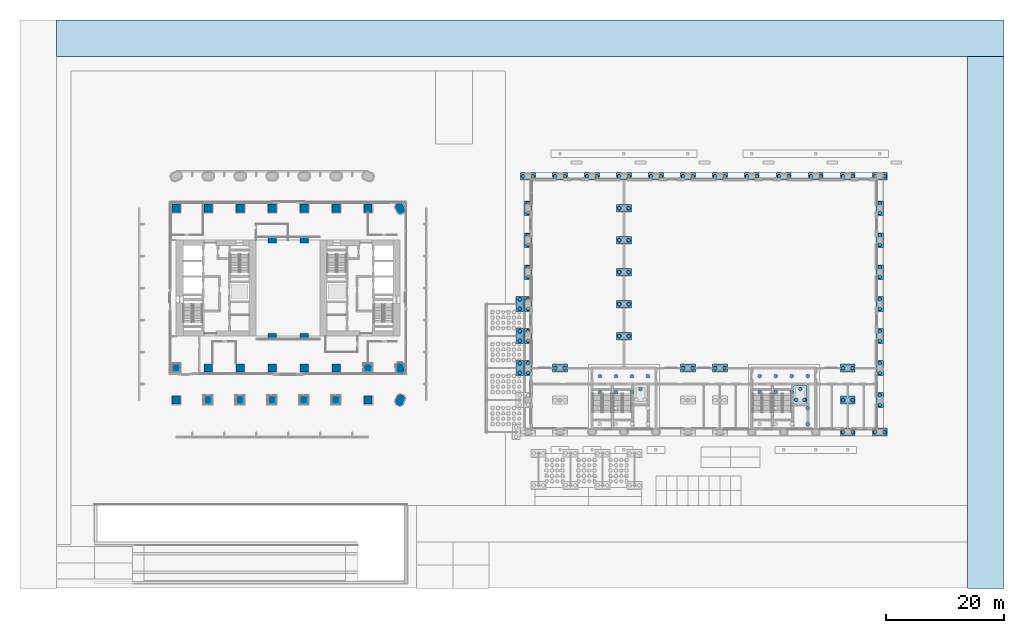
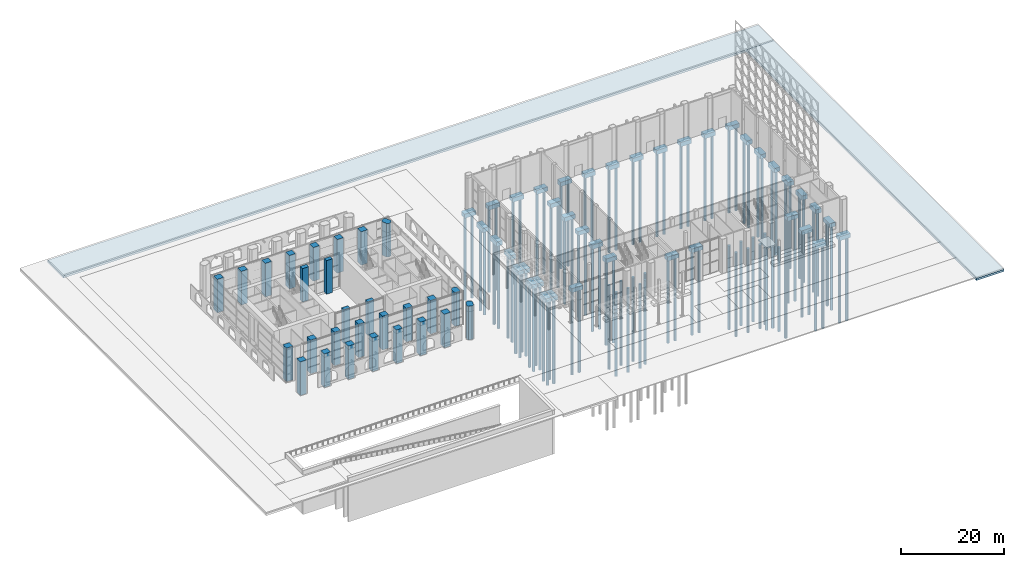
# One storey, part 3 of 54: 100 piles, 43 footings, 28 columns.
"""IFC4 building model written with IfcOpenShell, lengths in metres."""

import ifcopenshell
import ifcopenshell.guid

model = None  # the IFC model being written
_history = None  # IfcOwnerHistory: only IFC2X3 demands one
_inside = {}  # id of a spatial element -> (the spatial element, [elements in it])
_under = {}  # id of a project, library or spatial element -> (it, [spatial elements below it])
_declared = {}  # id of a project -> (the project, [libraries it declares])
_typed = {}  # id of a type object -> (the type object, [elements of that type])
_made_of = {}  # id of a material, layer set ... -> (it, [elements and type objects made of it])


def new_model(schema):
    """Start an empty IFC model of exactly this schema.

    Asked for "IFC4X3", IfcOpenShell would pick the latest addendum, in which some entities
    have other attributes; the version numbers below select the first issue.
    IFC2X3 requires an IfcOwnerHistory on every rooted entity: one is made here for all.
    """
    global model, _history
    if schema == "IFC4X3":
        model = ifcopenshell.file(schema_version=(4, 3, 0, 0))
    else:
        model = ifcopenshell.file(schema=schema)
    _inside.clear()
    _under.clear()
    _declared.clear()
    _typed.clear()
    _made_of.clear()
    _history = None
    if model.schema == "IFC2X3":
        org = make("IfcOrganization", Name="unknown")
        user = make(
            "IfcPersonAndOrganization",
            ThePerson=make("IfcPerson", FamilyName="unknown"),
            TheOrganization=org,
        )
        app = make(
            "IfcApplication",
            ApplicationDeveloper=org,
            Version="unknown",
            ApplicationFullName="unknown",
            ApplicationIdentifier="unknown",
        )
        _history = make(
            "IfcOwnerHistory",
            OwningUser=user,
            OwningApplication=app,
            ChangeAction="ADDED",
            CreationDate=0,
        )
    return model


def make(cls, **values):
    """One entity of the class cls with the attributes given. An attribute that is None is left unset."""
    return model.create_entity(
        cls, **{name: value for name, value in values.items() if value is not None}
    )


def rooted(cls, **values):
    """An entity with a GlobalId (a new one), such as an element, a storey or a relation."""
    return make(cls, GlobalId=ifcopenshell.guid.new(), OwnerHistory=_history, **values)


def si_unit(unit_type, name, prefix=None):
    """IfcSIUnit, for example si_unit("LENGTHUNIT", "METRE", prefix="MILLI")."""
    return make("IfcSIUnit", UnitType=unit_type, Prefix=prefix, Name=name)


def assignment(units):
    """IfcUnitAssignment: the units of a project."""
    return None if units is None else make("IfcUnitAssignment", Units=units)


def point(xyz):
    """IfcCartesianPoint."""
    return None if xyz is None else make("IfcCartesianPoint", Coordinates=xyz)


def direction(xyz):
    """IfcDirection."""
    return None if xyz is None else make("IfcDirection", DirectionRatios=xyz)


def frame(location, z_axis=None, x_axis=None):
    """IfcAxis2Placement3D, a coordinate frame: its origin and axes. An axis left out is left unset."""
    return make(
        "IfcAxis2Placement3D",
        Location=point(location),
        Axis=direction(z_axis),
        RefDirection=direction(x_axis),
    )


def frame_2d(location, x_axis=None):
    """IfcAxis2Placement2D, a coordinate frame in the plane: its origin and x axis."""
    return make(
        "IfcAxis2Placement2D", Location=point(location), RefDirection=direction(x_axis)
    )


def origin():
    """The frame at (0, 0, 0) with its axes left unset."""
    return frame((0.0, 0.0, 0.0))


def origin_2d():
    """The frame at (0, 0) in the plane with its x axis left unset."""
    return frame_2d((0.0, 0.0))


def place(relative_to, where):
    """IfcLocalPlacement: puts the frame where relative to a parent placement (None: the world)."""
    return make(
        "IfcLocalPlacement", PlacementRelTo=relative_to, RelativePlacement=where
    )


def context(
    kind, dimensions, precision=None, world=None, true_north=None, identifier=None
):
    """IfcGeometricRepresentationContext, for example the 3D "Model" context."""
    return make(
        "IfcGeometricRepresentationContext",
        ContextIdentifier=identifier,
        ContextType=kind,
        CoordinateSpaceDimension=dimensions,
        Precision=precision,
        WorldCoordinateSystem=world,
        TrueNorth=true_north,
    )


def subcontext(parent, identifier, kind, view, scale=None):
    """IfcGeometricRepresentationSubContext, for example "Body" below "Model"."""
    return make(
        "IfcGeometricRepresentationSubContext",
        ContextIdentifier=identifier,
        ContextType=kind,
        ParentContext=parent,
        TargetScale=scale,
        TargetView=view,
    )


def project(units=None, contexts=None):
    """IfcProject with its units and contexts."""
    return rooted(
        "IfcProject",
        Name="project",
        RepresentationContexts=contexts,
        UnitsInContext=assignment(units),
    )


def spatial(cls, under=None, at=None, **own):
    """A site, building, storey or space (cls), placed at a placement, below another one or the project."""
    s = rooted(cls, ObjectPlacement=at, **own)
    if under is not None:
        _under.setdefault(under.id(), (under, []))[1].append(s)
    return s


def polyline(points):
    """IfcPolyline through the points."""
    return make("IfcPolyline", Points=[point(p) for p in points])


def profile(cls, at=None, kind="AREA", **sizes):
    """A parametric profile (cls). Its sizes go by their IFC names, for example OverallWidth=200.0."""
    return make(cls, ProfileType=kind, Position=at, **sizes)


def rectangle(**sizes):
    """IfcRectangleProfileDef."""
    return profile("IfcRectangleProfileDef", **sizes)


def circle(**sizes):
    """IfcCircleProfileDef."""
    return profile("IfcCircleProfileDef", **sizes)


def outline(outer, holes=None, kind="AREA"):
    """IfcArbitraryClosedProfileDef: a profile drawn as a closed curve; with holes, ...WithVoids."""
    if holes is None:
        return make("IfcArbitraryClosedProfileDef", ProfileType=kind, OuterCurve=outer)
    return make(
        "IfcArbitraryProfileDefWithVoids",
        ProfileType=kind,
        OuterCurve=outer,
        InnerCurves=holes,
    )


def extrude(swept, where, along, depth):
    """IfcExtrudedAreaSolid: the profile swept, set in the frame where, extruded along a direction by depth."""
    return make(
        "IfcExtrudedAreaSolid",
        SweptArea=swept,
        Position=where,
        ExtrudedDirection=direction(along),
        Depth=depth,
    )


def shape(context_of_items, identifier, shape_type, items):
    """IfcShapeRepresentation: the items that make up one representation, for example the "Body"."""
    return make(
        "IfcShapeRepresentation",
        ContextOfItems=context_of_items,
        RepresentationIdentifier=identifier,
        RepresentationType=shape_type,
        Items=items,
    )


def material(Name=None, Category=None):
    """IfcMaterial."""
    return make("IfcMaterial", Name=Name, Category=Category)


def material_profile(
    of_material, cross_section, Name=None, Category=None, Priority=None
):
    """IfcMaterialProfile: a cross section and its material."""
    return make(
        "IfcMaterialProfile",
        Name=Name,
        Material=of_material,
        Profile=cross_section,
        Priority=Priority,
        Category=Category,
    )


def profile_set(profiles, Name=None, composite=None):
    """IfcMaterialProfileSet."""
    return make(
        "IfcMaterialProfileSet",
        Name=Name,
        MaterialProfiles=profiles,
        CompositeProfile=composite,
    )


def made_of(thing, what):
    """Note that an element or type object is made of a material, layer set ...; save() writes the relation."""
    if what is not None:
        _made_of.setdefault(what.id(), (what, []))[1].append(thing)
    return thing


def type_object(cls, material=None, **own):
    """A type object (cls), such as IfcWallType, which elements share."""
    return made_of(rooted(cls, **own), material)


def element(
    cls,
    number,
    at=None,
    inside=None,
    cuts=None,
    type_object=None,
    material=None,
    context=None,
    identifier="Body",
    shape_type=None,
    held_by="IfcProductDefinitionShape",
    body=None,
    shapes=None,
    **own,
):
    """One element of the class cls, such as IfcWall. Its Tag is "e" and its number.

    at: its placement. inside: the storey or other place that contains it. cuts: it is an
    opening in that element (IfcRelVoidsElement). A single representation is given by context,
    identifier, shape_type and body (its items); several are given by shapes. held_by: the class
    of the entity that holds the representations. save() writes the other relations.
    """
    e = rooted(cls, Tag="e%d" % number, ObjectPlacement=at, **own)
    if body is not None:
        shapes = [shape(context, identifier, shape_type, body)]
    if shapes is not None:
        e.Representation = make(held_by, Representations=shapes)
    if inside is not None:
        _inside.setdefault(inside.id(), (inside, []))[1].append(e)
    if cuts is not None:
        rooted(
            "IfcRelVoidsElement", RelatingBuildingElement=cuts, RelatedOpeningElement=e
        )
    if type_object is not None:
        _typed.setdefault(type_object.id(), (type_object, []))[1].append(e)
    return made_of(e, material)


def aggregate(whole, parts):
    """IfcRelAggregates: a whole, such as a stair, and the parts it consists of."""
    return rooted("IfcRelAggregates", RelatingObject=whole, RelatedObjects=parts)


def save(model, path):
    """Write the relations noted so far, then the file.

    IfcRelAggregates (storeys below a building ...), IfcRelContainedInSpatialStructure (elements
    in a storey), IfcRelDefinesByType, IfcRelAssociatesMaterial and IfcRelDeclares: one each for
    every whole, place, type object, material and project.
    """
    for whole, parts in _under.values():
        aggregate(whole, parts)
    for where, things in _inside.values():
        rooted(
            "IfcRelContainedInSpatialStructure",
            RelatedElements=things,
            RelatingStructure=where,
        )
    for kind, things in _typed.values():
        rooted("IfcRelDefinesByType", RelatedObjects=things, RelatingType=kind)
    for what, things in _made_of.values():
        rooted("IfcRelAssociatesMaterial", RelatedObjects=things, RelatingMaterial=what)
    for by, libraries in _declared.values():
        rooted("IfcRelDeclares", RelatingContext=by, RelatedDefinitions=libraries)
    model.write(path)


model = new_model("IFC4")

# Units and contexts
model_context = context("Model", 3, precision=1e-05, world=origin(), true_north=direction((0.0, 1.0)))
body_context = subcontext(model_context, "Body", "Model", "MODEL_VIEW")
ifc_project = project(units=[si_unit("LENGTHUNIT", "METRE"), si_unit("AREAUNIT", "SQUARE_METRE"), si_unit("VOLUMEUNIT", "CUBIC_METRE"), si_unit("PLANEANGLEUNIT", "RADIAN"), si_unit("MASSUNIT", "GRAM", prefix="KILO")], contexts=[model_context])

# Site, building, storey
site_placement = place(None, origin())
site = spatial("IfcSite", under=ifc_project, at=site_placement, CompositionType="ELEMENT")
building_placement = place(site_placement, origin())
building = spatial("IfcBuilding", under=site, at=building_placement, Name="Tabaq Tower and Sports Hall", CompositionType="ELEMENT")
storey_placement = place(building_placement, origin())
storey = spatial("IfcBuildingStorey", under=building, at=storey_placement, Name="L00", CompositionType="ELEMENT", Elevation=0.0)

# Piles
ifc_material_1 = material(Name="Concrete C40/50 sulphate-resisting", Category="concrete")
ifc_material_profile_1 = material_profile(ifc_material_1, circle(Radius=0.300048828125, at=origin_2d()), Name="D600")
ifc_profile_set_1 = profile_set([ifc_material_profile_1], Name="Concrete C40/50 sulphate-resisting")
pile_type_1 = type_object("IfcPileType", Name="CANOPY BORED PILE D600", PredefinedType="BORED", material=ifc_profile_set_1)
for number, where, z_axis, x_axis, name in (
    (1, (63.39990234375, 10.0, -1.199951171875), (0.0, 0.0, -1.0), (1.0, 0.0, 0.0), "Canopy bored pile PC3-1"),
    (2, (63.39990234375, 11.60009765625, -1.199951171875), (0.0, 0.0, -1.0), (1.0, 0.0, 0.0), "Canopy bored pile PC3-2"),
    (3, (63.39990234375, 15.39990234375, -1.199951171875), (0.0, 0.0, -1.0), (1.0, 0.0, 0.0), "Canopy bored pile PC4-1"),
    (4, (63.39990234375, 17.0, -1.199951171875), (0.0, 0.0, -1.0), (1.0, 0.0, 0.0), "Canopy bored pile PC4-2"),
    (5, (63.39990234375, 20.800048828125, -1.199951171875), (0.0, 0.0, -1.0), (1.0, 0.0, 0.0), "Canopy bored pile PC5-1"),
    (6, (63.39990234375, 22.39990234375, -1.199951171875), (0.0, 0.0, -1.0), (1.0, 0.0, 0.0), "Canopy bored pile PC5-2"),
):
    element("IfcPile", number, at=place(storey_placement, frame(where, z_axis=z_axis, x_axis=x_axis)), inside=storey, type_object=pile_type_1, Name=name, PredefinedType="BORED", context=body_context, shape_type="SweptSolid", body=[
        extrude(circle(Radius=0.300048828125, at=origin_2d()), origin(), (0.0, 0.0, 1.0), 20.0),
    ])

# Footings
ifc_material_2 = material(Name="Concrete C40/50 sulphate-resisting", Category="concrete")
footing_type_1 = type_object("IfcFootingType", Name="CANOPY PILE CAP 2500x1300x1000", PredefinedType="PILE_CAP", material=ifc_material_2)
for number, where, z_axis, x_axis, name in (
    (7, (63.39990234375, 10.800048828125, -1.300048828125), (0.0, 0.0, 1.0), (0.0, 1.0, 0.0), "Canopy pile cap PC3"),
    (8, (63.39990234375, 16.199951171875, -1.300048828125), (0.0, 0.0, 1.0), (0.0, 1.0, 0.0), "Canopy pile cap PC4"),
    (9, (63.39990234375, 21.60009765625, -1.300048828125), (0.0, 0.0, 1.0), (0.0, 1.0, 0.0), "Canopy pile cap PC5"),
):
    element("IfcFooting", number, at=place(storey_placement, frame(where, z_axis=z_axis, x_axis=x_axis)), inside=storey, type_object=footing_type_1, Name=name, PredefinedType="PILE_CAP", context=body_context, shape_type="SweptSolid", body=[
        extrude(rectangle(XDim=2.5, YDim=1.300048828125, at=origin_2d()), origin(), (0.0, 0.0, 1.0), 1.0),
    ])
ifc_material_3 = material(Name="Compacted crushed limestone sub-base", Category="masonry")
footing_type_2 = type_object("IfcFootingType", Name="COMPACTED LIMESTONE SUB-BASE 500", PredefinedType="USERDEFINED", material=ifc_material_3)
footing_1_placement = place(storey_placement, frame((0.0, 0.0, -0.800048828125)))
element("IfcFooting", 10, at=footing_1_placement, inside=storey, type_object=footing_type_2, Name="Sub-base under north road (fire appliance access)", ObjectType="SUB-BASE", PredefinedType="USERDEFINED", context=body_context, shape_type="SweptSolid", body=[
    extrude(outline(polyline([(145.179931640625, 69.580078125), (-14.800048828125, 69.580078125), (-14.800048828125, 63.39990234375), (145.179931640625, 63.39990234375), (145.179931640625, 69.580078125)])), origin(), (0.0, 0.0, 1.0), 0.5),
])
footing_2_placement = place(storey_placement, frame((0.0, 0.0, -0.800048828125)))
element("IfcFooting", 11, at=footing_2_placement, inside=storey, type_object=footing_type_2, Name="Sub-base under east road (fire appliance access)", ObjectType="SUB-BASE", PredefinedType="USERDEFINED", context=body_context, shape_type="SweptSolid", body=[
    extrude(outline(polyline([(145.179931640625, 63.39990234375), (139.0, 63.39990234375), (139.0, -26.3798828125), (145.179931640625, -26.3798828125), (145.179931640625, 63.39990234375)])), origin(), (0.0, 0.0, 1.0), 0.5),
])

# Piles
ifc_material_4 = material(Name="Concrete C40/50 sulphate-resisting", Category="concrete")
ifc_material_profile_2 = material_profile(ifc_material_4, circle(Radius=0.300048828125, at=origin_2d()), Name="D600")
ifc_profile_set_2 = profile_set([ifc_material_profile_2], Name="Concrete C40/50 sulphate-resisting")
pile_type_2 = type_object("IfcPileType", Name="HALL BORED PILE D600", PredefinedType="BORED", material=ifc_profile_set_2)
for number, where, z_axis, x_axis, name in (
    (12, (64.800048828125, 10.0, -1.300048828125), (0.0, 0.0, -1.0), (1.0, 0.0, 0.0), "Bored pile 13C-1"),
    (13, (64.800048828125, 11.60009765625, -1.300048828125), (0.0, 0.0, -1.0), (1.0, 0.0, 0.0), "Bored pile 13C-2"),
    (14, (64.800048828125, 15.39990234375, -1.300048828125), (0.0, 0.0, -1.0), (1.0, 0.0, 0.0), "Bored pile 13D-1"),
    (15, (64.800048828125, 17.0, -1.300048828125), (0.0, 0.0, -1.0), (1.0, 0.0, 0.0), "Bored pile 13D-2"),
    (16, (64.800048828125, 20.800048828125, -1.300048828125), (0.0, 0.0, -1.0), (1.0, 0.0, 0.0), "Bored pile 13E-1"),
    (17, (64.800048828125, 22.39990234375, -1.300048828125), (0.0, 0.0, -1.0), (1.0, 0.0, 0.0), "Bored pile 13E-2"),
    (18, (64.800048828125, 26.199951171875, -1.300048828125), (0.0, 0.0, -1.0), (1.0, 0.0, 0.0), "Bored pile 13F-1"),
    (19, (64.800048828125, 27.800048828125, -1.300048828125), (0.0, 0.0, -1.0), (1.0, 0.0, 0.0), "Bored pile 13F-2"),
    (20, (64.800048828125, 31.60009765625, -1.300048828125), (0.0, 0.0, -1.0), (1.0, 0.0, 0.0), "Bored pile 13G-1"),
    (21, (64.800048828125, 33.199951171875, -1.300048828125), (0.0, 0.0, -1.0), (1.0, 0.0, 0.0), "Bored pile 13G-2"),
    (22, (64.800048828125, 37.0, -1.300048828125), (0.0, 0.0, -1.0), (1.0, 0.0, 0.0), "Bored pile 13H-1"),
    (23, (64.800048828125, 38.60009765625, -1.300048828125), (0.0, 0.0, -1.0), (1.0, 0.0, 0.0), "Bored pile 13H-2"),
    (24, (64.0, 43.199951171875, -1.300048828125), (0.0, 0.0, -1.0), (1.0, 0.0, 0.0), "Bored pile 13I-1"),
    (25, (65.60009765625, 43.199951171875, -1.300048828125), (0.0, 0.0, -1.0), (1.0, 0.0, 0.0), "Bored pile 13I-2"),
    (26, (69.39990234375, 10.800048828125, -1.300048828125), (0.0, 0.0, -1.0), (1.0, 0.0, 0.0), "Bored pile 14C-1"),
    (27, (71.0, 10.800048828125, -1.300048828125), (0.0, 0.0, -1.0), (1.0, 0.0, 0.0), "Bored pile 14C-2"),
    (28, (69.39990234375, 43.199951171875, -1.300048828125), (0.0, 0.0, -1.0), (1.0, 0.0, 0.0), "Bored pile 14I-1"),
    (29, (71.0, 43.199951171875, -1.300048828125), (0.0, 0.0, -1.0), (1.0, 0.0, 0.0), "Bored pile 14I-2"),
    (30, (74.800048828125, 43.199951171875, -1.300048828125), (0.0, 0.0, -1.0), (1.0, 0.0, 0.0), "Bored pile 15I-1"),
    (31, (76.39990234375, 43.199951171875, -1.300048828125), (0.0, 0.0, -1.0), (1.0, 0.0, 0.0), "Bored pile 15I-2"),
    (32, (80.199951171875, 16.199951171875, -1.300048828125), (0.0, 0.0, -1.0), (1.0, 0.0, 0.0), "Bored pile 16D-1"),
    (33, (81.800048828125, 16.199951171875, -1.300048828125), (0.0, 0.0, -1.0), (1.0, 0.0, 0.0), "Bored pile 16D-2"),
    (34, (80.199951171875, 21.60009765625, -1.300048828125), (0.0, 0.0, -1.0), (1.0, 0.0, 0.0), "Bored pile 16E-1"),
    (35, (81.800048828125, 21.60009765625, -1.300048828125), (0.0, 0.0, -1.0), (1.0, 0.0, 0.0), "Bored pile 16E-2"),
    (36, (80.199951171875, 27.0, -1.300048828125), (0.0, 0.0, -1.0), (1.0, 0.0, 0.0), "Bored pile 16F-1"),
    (37, (81.800048828125, 27.0, -1.300048828125), (0.0, 0.0, -1.0), (1.0, 0.0, 0.0), "Bored pile 16F-2"),
    (38, (80.199951171875, 32.39990234375, -1.300048828125), (0.0, 0.0, -1.0), (1.0, 0.0, 0.0), "Bored pile 16G-1"),
    (39, (81.800048828125, 32.39990234375, -1.300048828125), (0.0, 0.0, -1.0), (1.0, 0.0, 0.0), "Bored pile 16G-2"),
    (40, (80.199951171875, 37.800048828125, -1.300048828125), (0.0, 0.0, -1.0), (1.0, 0.0, 0.0), "Bored pile 16H-1"),
    (41, (81.800048828125, 37.800048828125, -1.300048828125), (0.0, 0.0, -1.0), (1.0, 0.0, 0.0), "Bored pile 16H-2"),
    (42, (80.199951171875, 43.199951171875, -1.300048828125), (0.0, 0.0, -1.0), (1.0, 0.0, 0.0), "Bored pile 16I-1"),
    (43, (81.800048828125, 43.199951171875, -1.300048828125), (0.0, 0.0, -1.0), (1.0, 0.0, 0.0), "Bored pile 16I-2"),
    (44, (85.60009765625, 43.199951171875, -1.300048828125), (0.0, 0.0, -1.0), (1.0, 0.0, 0.0), "Bored pile 17I-1"),
    (45, (87.199951171875, 43.199951171875, -1.300048828125), (0.0, 0.0, -1.0), (1.0, 0.0, 0.0), "Bored pile 17I-2"),
    (46, (91.0, 10.800048828125, -1.300048828125), (0.0, 0.0, -1.0), (1.0, 0.0, 0.0), "Bored pile 18C-1"),
    (47, (92.60009765625, 10.800048828125, -1.300048828125), (0.0, 0.0, -1.0), (1.0, 0.0, 0.0), "Bored pile 18C-2"),
    (48, (91.0, 43.199951171875, -1.300048828125), (0.0, 0.0, -1.0), (1.0, 0.0, 0.0), "Bored pile 18I-1"),
    (49, (92.60009765625, 43.199951171875, -1.300048828125), (0.0, 0.0, -1.0), (1.0, 0.0, 0.0), "Bored pile 18I-2"),
    (50, (96.39990234375, 10.800048828125, -1.300048828125), (0.0, 0.0, -1.0), (1.0, 0.0, 0.0), "Bored pile 19C-1"),
    (51, (98.0, 10.800048828125, -1.300048828125), (0.0, 0.0, -1.0), (1.0, 0.0, 0.0), "Bored pile 19C-2"),
    (52, (96.39990234375, 43.199951171875, -1.300048828125), (0.0, 0.0, -1.0), (1.0, 0.0, 0.0), "Bored pile 19I-1"),
    (53, (98.0, 43.199951171875, -1.300048828125), (0.0, 0.0, -1.0), (1.0, 0.0, 0.0), "Bored pile 19I-2"),
    (54, (101.800048828125, 43.199951171875, -1.300048828125), (0.0, 0.0, -1.0), (1.0, 0.0, 0.0), "Bored pile 20I-1"),
    (55, (103.39990234375, 43.199951171875, -1.300048828125), (0.0, 0.0, -1.0), (1.0, 0.0, 0.0), "Bored pile 20I-2"),
    (56, (107.199951171875, 43.199951171875, -1.300048828125), (0.0, 0.0, -1.0), (1.0, 0.0, 0.0), "Bored pile 21I-1"),
    (57, (108.800048828125, 43.199951171875, -1.300048828125), (0.0, 0.0, -1.0), (1.0, 0.0, 0.0), "Bored pile 21I-2"),
    (58, (112.60009765625, 43.199951171875, -1.300048828125), (0.0, 0.0, -1.0), (1.0, 0.0, 0.0), "Bored pile 22I-1"),
    (59, (114.199951171875, 43.199951171875, -1.300048828125), (0.0, 0.0, -1.0), (1.0, 0.0, 0.0), "Bored pile 22I-2"),
    (60, (118.0, 0.0, -1.300048828125), (0.0, 0.0, -1.0), (1.0, 0.0, 0.0), "Bored pile 23A-1"),
    (61, (119.60009765625, 0.0, -1.300048828125), (0.0, 0.0, -1.0), (1.0, 0.0, 0.0), "Bored pile 23A-2"),
    (62, (118.0, 5.39990234375, -1.300048828125), (0.0, 0.0, -1.0), (1.0, 0.0, 0.0), "Bored pile 23B-1"),
    (63, (119.60009765625, 5.39990234375, -1.300048828125), (0.0, 0.0, -1.0), (1.0, 0.0, 0.0), "Bored pile 23B-2"),
    (64, (118.0, 10.800048828125, -1.300048828125), (0.0, 0.0, -1.0), (1.0, 0.0, 0.0), "Bored pile 23C-1"),
    (65, (119.60009765625, 10.800048828125, -1.300048828125), (0.0, 0.0, -1.0), (1.0, 0.0, 0.0), "Bored pile 23C-2"),
    (66, (118.0, 43.199951171875, -1.300048828125), (0.0, 0.0, -1.0), (1.0, 0.0, 0.0), "Bored pile 23I-1"),
    (67, (119.60009765625, 43.199951171875, -1.300048828125), (0.0, 0.0, -1.0), (1.0, 0.0, 0.0), "Bored pile 23I-2"),
    (68, (123.39990234375, 0.0, -1.300048828125), (0.0, 0.0, -1.0), (1.0, 0.0, 0.0), "Bored pile 24A-1"),
    (69, (125.0, 0.0, -1.300048828125), (0.0, 0.0, -1.0), (1.0, 0.0, 0.0), "Bored pile 24A-2"),
    (70, (124.199951171875, 4.60009765625, -1.300048828125), (0.0, 0.0, -1.0), (1.0, 0.0, 0.0), "Bored pile 24B-1"),
    (71, (124.199951171875, 6.199951171875, -1.300048828125), (0.0, 0.0, -1.0), (1.0, 0.0, 0.0), "Bored pile 24B-2"),
    (72, (124.199951171875, 10.0, -1.300048828125), (0.0, 0.0, -1.0), (1.0, 0.0, 0.0), "Bored pile 24C-1"),
    (73, (124.199951171875, 11.60009765625, -1.300048828125), (0.0, 0.0, -1.0), (1.0, 0.0, 0.0), "Bored pile 24C-2"),
    (74, (124.199951171875, 15.39990234375, -1.300048828125), (0.0, 0.0, -1.0), (1.0, 0.0, 0.0), "Bored pile 24D-1"),
    (75, (124.199951171875, 17.0, -1.300048828125), (0.0, 0.0, -1.0), (1.0, 0.0, 0.0), "Bored pile 24D-2"),
    (76, (124.199951171875, 20.800048828125, -1.300048828125), (0.0, 0.0, -1.0), (1.0, 0.0, 0.0), "Bored pile 24E-1"),
    (77, (124.199951171875, 22.39990234375, -1.300048828125), (0.0, 0.0, -1.0), (1.0, 0.0, 0.0), "Bored pile 24E-2"),
    (78, (124.199951171875, 26.199951171875, -1.300048828125), (0.0, 0.0, -1.0), (1.0, 0.0, 0.0), "Bored pile 24F-1"),
    (79, (124.199951171875, 27.800048828125, -1.300048828125), (0.0, 0.0, -1.0), (1.0, 0.0, 0.0), "Bored pile 24F-2"),
    (80, (124.199951171875, 31.60009765625, -1.300048828125), (0.0, 0.0, -1.0), (1.0, 0.0, 0.0), "Bored pile 24G-1"),
    (81, (124.199951171875, 33.199951171875, -1.300048828125), (0.0, 0.0, -1.0), (1.0, 0.0, 0.0), "Bored pile 24G-2"),
    (82, (124.199951171875, 37.0, -1.300048828125), (0.0, 0.0, -1.0), (1.0, 0.0, 0.0), "Bored pile 24H-1"),
    (83, (124.199951171875, 38.60009765625, -1.300048828125), (0.0, 0.0, -1.0), (1.0, 0.0, 0.0), "Bored pile 24H-2"),
    (84, (123.39990234375, 43.199951171875, -1.300048828125), (0.0, 0.0, -1.0), (1.0, 0.0, 0.0), "Bored pile 24I-1"),
    (85, (125.0, 43.199951171875, -1.300048828125), (0.0, 0.0, -1.0), (1.0, 0.0, 0.0), "Bored pile 24I-2"),
    (86, (76.949951171875, 6.75, -1.824951171875), (0.0, 0.0, -1.0), (1.0, 0.0, 0.0), "Core A bored pile 3"),
    (87, (76.949951171875, 9.449951171875, -1.824951171875), (0.0, 0.0, -1.0), (1.0, 0.0, 0.0), "Core A bored pile 4"),
    (88, (79.64990234375, 6.75, -1.824951171875), (0.0, 0.0, -1.0), (1.0, 0.0, 0.0), "Core A bored pile 7"),
    (89, (79.64990234375, 9.449951171875, -1.824951171875), (0.0, 0.0, -1.0), (1.0, 0.0, 0.0), "Core A bored pile 8"),
    (90, (82.35009765625, 6.75, -1.824951171875), (0.0, 0.0, -1.0), (1.0, 0.0, 0.0), "Core A bored pile 11"),
    (91, (82.35009765625, 9.449951171875, -1.824951171875), (0.0, 0.0, -1.0), (1.0, 0.0, 0.0), "Core A bored pile 12"),
    (92, (85.050048828125, 9.449951171875, -1.824951171875), (0.0, 0.0, -1.0), (1.0, 0.0, 0.0), "Core A bored pile 15"),
    (93, (83.800048828125, 7.25, -1.699951171875), (0.0, 0.0, -1.0), (1.0, 0.0, 0.0), "Lift A pit pile 3"),
    (94, (103.949951171875, 6.75, -1.824951171875), (0.0, 0.0, -1.0), (1.0, 0.0, 0.0), "Core B bored pile 3"),
    (95, (103.949951171875, 9.449951171875, -1.824951171875), (0.0, 0.0, -1.0), (1.0, 0.0, 0.0), "Core B bored pile 4"),
    (96, (106.64990234375, 6.75, -1.824951171875), (0.0, 0.0, -1.0), (1.0, 0.0, 0.0), "Core B bored pile 7"),
    (97, (106.64990234375, 9.449951171875, -1.824951171875), (0.0, 0.0, -1.0), (1.0, 0.0, 0.0), "Core B bored pile 8"),
    (98, (109.35009765625, 6.75, -1.824951171875), (0.0, 0.0, -1.0), (1.0, 0.0, 0.0), "Core B bored pile 11"),
    (99, (109.35009765625, 9.449951171875, -1.824951171875), (0.0, 0.0, -1.0), (1.0, 0.0, 0.0), "Core B bored pile 12"),
    (100, (112.050048828125, 1.35009765625, -1.824951171875), (0.0, 0.0, -1.0), (1.0, 0.0, 0.0), "Core B bored pile 13"),
    (101, (112.050048828125, 4.050048828125, -1.824951171875), (0.0, 0.0, -1.0), (1.0, 0.0, 0.0), "Core B bored pile 14"),
    (102, (112.050048828125, 9.449951171875, -1.824951171875), (0.0, 0.0, -1.0), (1.0, 0.0, 0.0), "Core B bored pile 15"),
    (103, (110.1201171875, 5.449951171875, -1.699951171875), (0.0, 0.0, -1.0), (1.0, 0.0, 0.0), "Lift B pit pile 1"),
    (104, (111.47998046875, 5.449951171875, -1.699951171875), (0.0, 0.0, -1.0), (1.0, 0.0, 0.0), "Lift B pit pile 2"),
    (105, (110.800048828125, 7.25, -1.699951171875), (0.0, 0.0, -1.0), (1.0, 0.0, 0.0), "Lift B pit pile 3"),
):
    element("IfcPile", number, at=place(storey_placement, frame(where, z_axis=z_axis, x_axis=x_axis)), inside=storey, type_object=pile_type_2, Name=name, PredefinedType="BORED", context=body_context, shape_type="SweptSolid", body=[
        extrude(circle(Radius=0.300048828125, at=origin_2d()), origin(), (0.0, 0.0, 1.0), 20.0),
    ])

# Footings
ifc_material_5 = material(Name="Concrete C40/50 sulphate-resisting", Category="concrete")
footing_type_3 = type_object("IfcFootingType", Name="HALL LIFT PIT CAP 300 C40/50", PredefinedType="PILE_CAP", material=ifc_material_5)
footing_3_placement = place(storey_placement, frame((110.800048828125, 6.35009765625, -1.89990234375), z_axis=(0.0, 0.0, 1.0), x_axis=(1.0, 0.0, 0.0)))
element("IfcFooting", 106, at=footing_3_placement, inside=storey, type_object=footing_type_3, Name="Lift B pit floor", PredefinedType="PILE_CAP", context=body_context, shape_type="SweptSolid", body=[
    extrude(rectangle(XDim=2.300048828125, YDim=3.199951171875, at=origin_2d()), origin(), (0.0, 0.0, 1.0), 0.300048828125),
])
ifc_material_6 = material(Name="Concrete C40/50 sulphate-resisting", Category="concrete")
footing_type_4 = type_object("IfcFootingType", Name="HALL PILE CAP 2500x1300x1000", PredefinedType="PILE_CAP", material=ifc_material_6)
for number, where, z_axis, x_axis, name in (
    (107, (64.800048828125, 10.800048828125, -1.39990234375), (0.0, 0.0, 1.0), (0.0, 1.0, 0.0), "Pile cap 13C"),
    (108, (64.800048828125, 16.199951171875, -1.39990234375), (0.0, 0.0, 1.0), (0.0, 1.0, 0.0), "Pile cap 13D"),
    (109, (64.800048828125, 21.60009765625, -1.39990234375), (0.0, 0.0, 1.0), (0.0, 1.0, 0.0), "Pile cap 13E"),
    (110, (64.800048828125, 27.0, -1.39990234375), (0.0, 0.0, 1.0), (0.0, 1.0, 0.0), "Pile cap 13F"),
    (111, (64.800048828125, 32.39990234375, -1.39990234375), (0.0, 0.0, 1.0), (0.0, 1.0, 0.0), "Pile cap 13G"),
    (112, (64.800048828125, 37.800048828125, -1.39990234375), (0.0, 0.0, 1.0), (0.0, 1.0, 0.0), "Pile cap 13H"),
    (113, (64.800048828125, 43.199951171875, -1.39990234375), (0.0, 0.0, 1.0), (1.0, 0.0, 0.0), "Pile cap 13I"),
    (114, (70.199951171875, 10.800048828125, -1.39990234375), (0.0, 0.0, 1.0), (1.0, 0.0, 0.0), "Pile cap 14C"),
    (115, (70.199951171875, 43.199951171875, -1.39990234375), (0.0, 0.0, 1.0), (1.0, 0.0, 0.0), "Pile cap 14I"),
    (116, (75.60009765625, 43.199951171875, -1.39990234375), (0.0, 0.0, 1.0), (1.0, 0.0, 0.0), "Pile cap 15I"),
    (117, (81.0, 16.199951171875, -1.39990234375), (0.0, 0.0, 1.0), (1.0, 0.0, 0.0), "Pile cap 16D"),
    (118, (81.0, 21.60009765625, -1.39990234375), (0.0, 0.0, 1.0), (1.0, 0.0, 0.0), "Pile cap 16E"),
    (119, (81.0, 27.0, -1.39990234375), (0.0, 0.0, 1.0), (1.0, 0.0, 0.0), "Pile cap 16F"),
    (120, (81.0, 32.39990234375, -1.39990234375), (0.0, 0.0, 1.0), (1.0, 0.0, 0.0), "Pile cap 16G"),
    (121, (81.0, 37.800048828125, -1.39990234375), (0.0, 0.0, 1.0), (1.0, 0.0, 0.0), "Pile cap 16H"),
    (122, (81.0, 43.199951171875, -1.39990234375), (0.0, 0.0, 1.0), (1.0, 0.0, 0.0), "Pile cap 16I"),
    (123, (86.39990234375, 43.199951171875, -1.39990234375), (0.0, 0.0, 1.0), (1.0, 0.0, 0.0), "Pile cap 17I"),
    (124, (91.800048828125, 10.800048828125, -1.39990234375), (0.0, 0.0, 1.0), (1.0, 0.0, 0.0), "Pile cap 18C"),
    (125, (91.800048828125, 43.199951171875, -1.39990234375), (0.0, 0.0, 1.0), (1.0, 0.0, 0.0), "Pile cap 18I"),
    (126, (97.199951171875, 10.800048828125, -1.39990234375), (0.0, 0.0, 1.0), (1.0, 0.0, 0.0), "Pile cap 19C"),
    (127, (97.199951171875, 43.199951171875, -1.39990234375), (0.0, 0.0, 1.0), (1.0, 0.0, 0.0), "Pile cap 19I"),
    (128, (102.60009765625, 43.199951171875, -1.39990234375), (0.0, 0.0, 1.0), (1.0, 0.0, 0.0), "Pile cap 20I"),
    (129, (108.0, 43.199951171875, -1.39990234375), (0.0, 0.0, 1.0), (1.0, 0.0, 0.0), "Pile cap 21I"),
    (130, (113.39990234375, 43.199951171875, -1.39990234375), (0.0, 0.0, 1.0), (1.0, 0.0, 0.0), "Pile cap 22I"),
    (131, (118.800048828125, 0.0, -1.39990234375), (0.0, 0.0, 1.0), (1.0, 0.0, 0.0), "Pile cap 23A"),
    (132, (118.800048828125, 5.39990234375, -1.39990234375), (0.0, 0.0, 1.0), (1.0, 0.0, 0.0), "Pile cap 23B"),
    (133, (118.800048828125, 10.800048828125, -1.39990234375), (0.0, 0.0, 1.0), (1.0, 0.0, 0.0), "Pile cap 23C"),
    (134, (118.800048828125, 43.199951171875, -1.39990234375), (0.0, 0.0, 1.0), (1.0, 0.0, 0.0), "Pile cap 23I"),
    (135, (124.199951171875, 0.0, -1.39990234375), (0.0, 0.0, 1.0), (1.0, 0.0, 0.0), "Pile cap 24A"),
    (136, (124.199951171875, 5.39990234375, -1.39990234375), (0.0, 0.0, 1.0), (0.0, 1.0, 0.0), "Pile cap 24B"),
    (137, (124.199951171875, 10.800048828125, -1.39990234375), (0.0, 0.0, 1.0), (0.0, 1.0, 0.0), "Pile cap 24C"),
    (138, (124.199951171875, 16.199951171875, -1.39990234375), (0.0, 0.0, 1.0), (0.0, 1.0, 0.0), "Pile cap 24D"),
    (139, (124.199951171875, 21.60009765625, -1.39990234375), (0.0, 0.0, 1.0), (0.0, 1.0, 0.0), "Pile cap 24E"),
    (140, (124.199951171875, 27.0, -1.39990234375), (0.0, 0.0, 1.0), (0.0, 1.0, 0.0), "Pile cap 24F"),
    (141, (124.199951171875, 32.39990234375, -1.39990234375), (0.0, 0.0, 1.0), (0.0, 1.0, 0.0), "Pile cap 24G"),
    (142, (124.199951171875, 37.800048828125, -1.39990234375), (0.0, 0.0, 1.0), (0.0, 1.0, 0.0), "Pile cap 24H"),
    (143, (124.199951171875, 43.199951171875, -1.39990234375), (0.0, 0.0, 1.0), (1.0, 0.0, 0.0), "Pile cap 24I"),
):
    element("IfcFooting", number, at=place(storey_placement, frame(where, z_axis=z_axis, x_axis=x_axis)), inside=storey, type_object=footing_type_4, Name=name, PredefinedType="PILE_CAP", context=body_context, shape_type="SweptSolid", body=[
        extrude(rectangle(XDim=2.5, YDim=1.300048828125, at=origin_2d()), origin(), (0.0, 0.0, 1.0), 1.0),
    ])

# Columns
ifc_material_7 = material(Name="Concrete C60/75", Category="concrete")
ifc_material_profile_3 = material_profile(ifc_material_7, rectangle(XDim=1.39990234375, YDim=0.89990234375, at=origin_2d()), Name="ATRIUM COLUMN 1400x900")
ifc_profile_set_3 = profile_set([ifc_material_profile_3], Name="Concrete C60/75")
column_type_1 = type_object("IfcColumnType", Name="RC COLUMN ATRIUM COLUMN 1400x900 C60/75", PredefinedType="COLUMN", material=ifc_profile_set_3)
for number, where, z_axis, x_axis, name in (
    (144, (21.60009765625, 16.199951171875, 0.0), (0.0, 0.0, 1.0), (1.0, 0.0, 0.0), "Atrium Column 5/D L00"),
    (145, (27.0, 16.199951171875, 0.0), (0.0, 0.0, 1.0), (1.0, 0.0, 0.0), "Atrium Column 6/D L00"),
    (146, (21.60009765625, 32.39990234375, 0.0), (0.0, 0.0, 1.0), (1.0, 0.0, 0.0), "Atrium Column 5/G L00"),
    (147, (27.0, 32.39990234375, 0.0), (0.0, 0.0, 1.0), (1.0, 0.0, 0.0), "Atrium Column 6/G L00"),
):
    element("IfcColumn", number, at=place(storey_placement, frame(where, z_axis=z_axis, x_axis=x_axis)), inside=storey, type_object=column_type_1, Name=name, PredefinedType="COLUMN", context=body_context, shape_type="SweptSolid", body=[
        extrude(rectangle(XDim=1.39990234375, YDim=0.89990234375, at=origin_2d()), origin(), (0.0, 0.0, 1.0), 8.0),
    ])
ifc_material_8 = material(Name="Concrete C60/75", Category="concrete")
ifc_material_profile_4 = material_profile(ifc_material_8, rectangle(XDim=1.39990234375, YDim=1.39990234375, at=origin_2d()), Name="COLUMN 1400x1400")
ifc_profile_set_4 = profile_set([ifc_material_profile_4], Name="Concrete C60/75")
column_type_2 = type_object("IfcColumnType", Name="RC COLUMN COLUMN 1400x1400 C60/75", PredefinedType="COLUMN", material=ifc_profile_set_4)
for number, where, z_axis, x_axis, name in (
    (148, (5.39990234375, 5.39990234375, 0.0), (0.0, 0.0, 1.0), (1.0, 0.0, 0.0), "Column 2/B L00"),
    (149, (10.800048828125, 5.39990234375, 0.0), (0.0, 0.0, 1.0), (1.0, 0.0, 0.0), "Column 3/B L00"),
    (150, (16.199951171875, 5.39990234375, 0.0), (0.0, 0.0, 1.0), (1.0, 0.0, 0.0), "Column 4/B L00"),
    (151, (21.60009765625, 5.39990234375, 0.0), (0.0, 0.0, 1.0), (1.0, 0.0, 0.0), "Column 5/B L00"),
    (152, (27.0, 5.39990234375, 0.0), (0.0, 0.0, 1.0), (1.0, 0.0, 0.0), "Column 6/B L00"),
    (153, (32.39990234375, 5.39990234375, 0.0), (0.0, 0.0, 1.0), (1.0, 0.0, 0.0), "Column 7/B L00"),
    (154, (37.800048828125, 5.39990234375, 0.0), (0.0, 0.0, 1.0), (1.0, 0.0, 0.0), "Column 8/B L00"),
    (155, (5.39990234375, 10.800048828125, 0.0), (0.0, 0.0, 1.0), (1.0, 0.0, 0.0), "Column 2/C L00"),
    (156, (10.800048828125, 10.800048828125, 0.0), (0.0, 0.0, 1.0), (1.0, 0.0, 0.0), "Column 3/C L00"),
    (157, (16.199951171875, 10.800048828125, 0.0), (0.0, 0.0, 1.0), (1.0, 0.0, 0.0), "Column 4/C L00"),
    (158, (21.60009765625, 10.800048828125, 0.0), (0.0, 0.0, 1.0), (1.0, 0.0, 0.0), "Column 5/C L00"),
    (159, (27.0, 10.800048828125, 0.0), (0.0, 0.0, 1.0), (1.0, 0.0, 0.0), "Column 6/C L00"),
    (160, (32.39990234375, 10.800048828125, 0.0), (0.0, 0.0, 1.0), (1.0, 0.0, 0.0), "Column 7/C L00"),
    (161, (37.800048828125, 10.800048828125, 0.0), (0.0, 0.0, 1.0), (1.0, 0.0, 0.0), "Column 8/C L00"),
    (162, (5.39990234375, 37.800048828125, 0.0), (0.0, 0.0, 1.0), (1.0, 0.0, 0.0), "Column 2/H L00"),
    (163, (10.800048828125, 37.800048828125, 0.0), (0.0, 0.0, 1.0), (1.0, 0.0, 0.0), "Column 3/H L00"),
    (164, (16.199951171875, 37.800048828125, 0.0), (0.0, 0.0, 1.0), (1.0, 0.0, 0.0), "Column 4/H L00"),
    (165, (21.60009765625, 37.800048828125, 0.0), (0.0, 0.0, 1.0), (1.0, 0.0, 0.0), "Column 5/H L00"),
    (166, (27.0, 37.800048828125, 0.0), (0.0, 0.0, 1.0), (1.0, 0.0, 0.0), "Column 6/H L00"),
    (167, (32.39990234375, 37.800048828125, 0.0), (0.0, 0.0, 1.0), (1.0, 0.0, 0.0), "Column 7/H L00"),
    (168, (37.800048828125, 37.800048828125, 0.0), (0.0, 0.0, 1.0), (1.0, 0.0, 0.0), "Column 8/H L00"),
):
    element("IfcColumn", number, at=place(storey_placement, frame(where, z_axis=z_axis, x_axis=x_axis)), inside=storey, type_object=column_type_2, Name=name, PredefinedType="COLUMN", context=body_context, shape_type="SweptSolid", body=[
        extrude(rectangle(XDim=1.39990234375, YDim=1.39990234375, at=origin_2d()), origin(), (0.0, 0.0, 1.0), 8.0),
    ])
ifc_material_9 = material(Name="Concrete C60/75", Category="concrete")
ifc_material_profile_5 = material_profile(ifc_material_9, outline(polyline([(-0.5625, -0.675048828125), (0.5625, -0.675048828125), (0.89990234375, -0.33740234375), (0.89990234375, 0.33740234375), (0.5625, 0.675048828125), (-0.5625, 0.675048828125), (-0.89990234375, 0.33740234375), (-0.89990234375, -0.33740234375), (-0.5625, -0.675048828125)])), Name="PIER 1800x1350")
ifc_profile_set_5 = profile_set([ifc_material_profile_5], Name="Concrete C60/75")
column_type_3 = type_object("IfcColumnType", Name="RC COLUMN PIER 1800x1350 C60/75", PredefinedType="COLUMN", material=ifc_profile_set_5)
for number, where, z_axis, x_axis, name in (
    (169, (43.199951171875, 5.39990234375, 0.0), (0.0, 0.0, 1.0), (0.382683432365, 0.923879532511, 0.0), "Pier 9/B L00"),
    (170, (43.199951171875, 10.800048828125, 0.0), (0.0, 0.0, 1.0), (0.0, 1.0, 0.0), "Pier 9/C L00"),
    (171, (43.199951171875, 37.800048828125, 0.0), (0.0, 0.0, 1.0), (-0.382683432365, 0.923879532511, 0.0), "Pier 9/H L00"),
):
    element("IfcColumn", number, at=place(storey_placement, frame(where, z_axis=z_axis, x_axis=x_axis)), inside=storey, type_object=column_type_3, Name=name, PredefinedType="COLUMN", context=body_context, shape_type="SweptSolid", body=[
        extrude(outline(polyline([(-0.5625, -0.675048828125), (0.5625, -0.675048828125), (0.89990234375, -0.33740234375), (0.89990234375, 0.33740234375), (0.5625, 0.675048828125), (-0.5625, 0.675048828125), (-0.89990234375, 0.33740234375), (-0.89990234375, -0.33740234375), (-0.5625, -0.675048828125)])), origin(), (0.0, 0.0, 1.0), 8.0),
    ])

save(model, "model.ifc")
